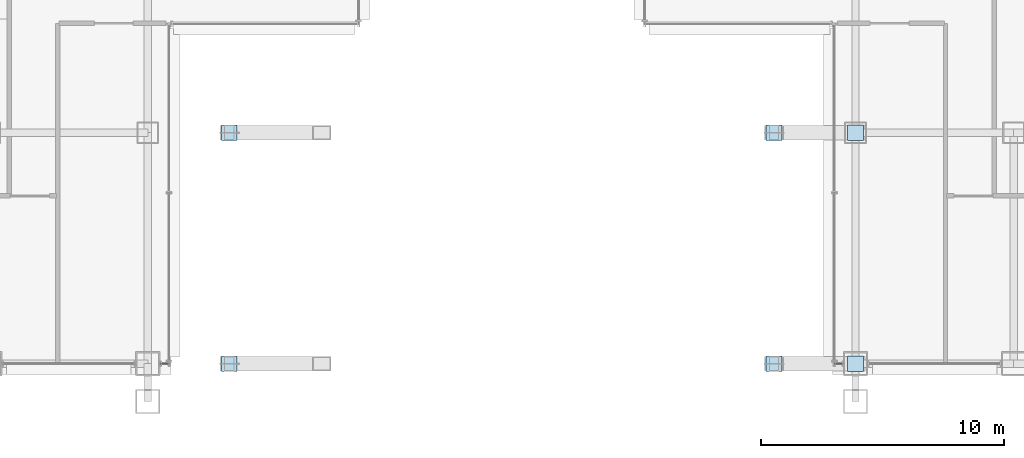
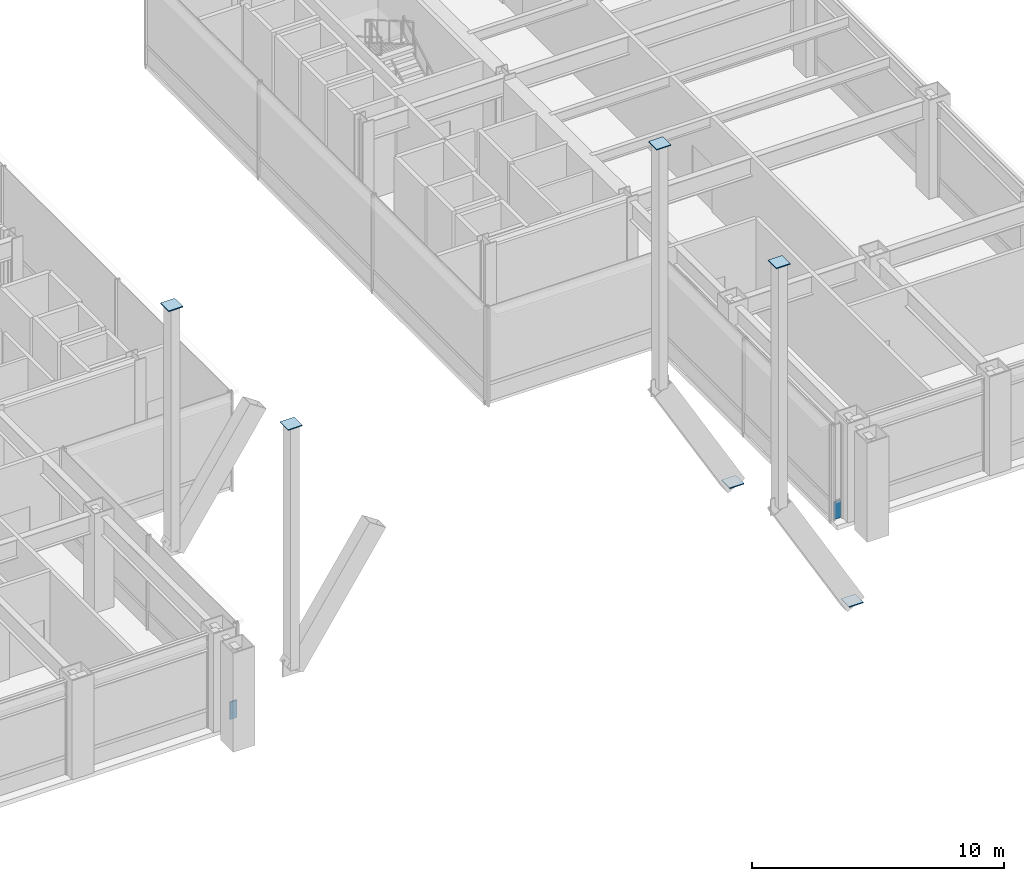
# One storey, part 33 of 40: 8 plates, 2 elements without a shape of their own.
"""IFC4 building model written with IfcOpenShell, lengths in metres."""

from ifc_helpers import new_model, si_unit, direction, frame, origin, origin_2d, place, context, subcontext, project, spatial, rectangle, extrude, material, layer, layer_set, type_object, element, aggregate, save


model = new_model("IFC4")

# Units and contexts
model_context = context("Model", 3, precision=1e-05, world=origin(), true_north=direction((0.0, 1.0)))
body_context = subcontext(model_context, "Body", "Model", "MODEL_VIEW")
ifc_project = project(units=[si_unit("LENGTHUNIT", "METRE"), si_unit("AREAUNIT", "SQUARE_METRE"), si_unit("VOLUMEUNIT", "CUBIC_METRE"), si_unit("PLANEANGLEUNIT", "RADIAN"), si_unit("MASSUNIT", "GRAM", prefix="KILO")], contexts=[model_context])

# Site, building, storey
site_placement = place(None, origin())
site = spatial("IfcSite", under=ifc_project, at=site_placement, CompositionType="ELEMENT")
building_placement = place(site_placement, origin())
building = spatial("IfcBuilding", under=site, at=building_placement, Name="Brelmoor Portico Tower", CompositionType="ELEMENT")
storey_placement = place(building_placement, frame((0.0, 0.0, 4.800048828125)))
storey = spatial("IfcBuildingStorey", under=building, at=storey_placement, Name="L01", CompositionType="ELEMENT", Elevation=4.800048828125)

# Plates
ifc_material_1 = material(Name="Steel Q355B", Category="steel")
ifc_layer_1 = layer(ifc_material_1, 0.044921875)
ifc_layer_set_1 = layer_set([ifc_layer_1], Name="Steel Q355B")
plate_type_1 = type_object("IfcPlateType", Name="PT-CAP-650", PredefinedType="SHEET", material=ifc_layer_set_1)
for number, where, z_axis, x_axis, name in (
    (1, (14.550048828125, -27.550048828125, -4.2724609375), (0.0, 0.0, 1.0), (1.0, 0.0, 0.0), "Giant Portico Arch Rib S1-8 Joint Cap Plate 2"),
    (2, (-11.199951171875, -27.550048828125, 13.33251953125), (0.0, 0.0, 1.0), (1.0, 0.0, 0.0), "Portico Arch Spandrel Strut S1-1 Joint Cap Plate 2"),
    (3, (11.199951171875, -27.550048828125, 13.33251953125), (0.0, 0.0, 1.0), (1.0, 0.0, 0.0), "Portico Arch Spandrel Strut S1-6 Joint Cap Plate 2"),
    (4, (14.550048828125, -18.050048828125, -4.2724609375), (0.0, 0.0, 1.0), (1.0, 0.0, 0.0), "Giant Portico Arch Rib S2-8 Joint Cap Plate 2"),
    (5, (-11.199951171875, -18.050048828125, 13.33251953125), (0.0, 0.0, 1.0), (1.0, 0.0, 0.0), "Portico Arch Spandrel Strut S2-1 Joint Cap Plate 2"),
    (6, (11.199951171875, -18.050048828125, 13.33251953125), (0.0, 0.0, 1.0), (1.0, 0.0, 0.0), "Portico Arch Spandrel Strut S2-6 Joint Cap Plate 2"),
):
    element("IfcPlate", number, at=place(storey_placement, frame(where, z_axis=z_axis, x_axis=x_axis)), inside=storey, type_object=plate_type_1, Name=name, PredefinedType="SHEET", context=body_context, shape_type="SweptSolid", body=[
        extrude(rectangle(XDim=0.64990234375, YDim=0.64990234375, at=origin_2d()), origin(), (0.0, 0.0, 1.0), 0.044921875),
    ])

# Curtain wall, plate
ifc_material_2 = material(Name="Anodised Aluminium Alloy 6063-T6", Category="aluminium")
ifc_layer_2 = layer(ifc_material_2, 0.179931640625)
ifc_layer_set_2 = layer_set([ifc_layer_2], Name="Anodised Aluminium Alloy 6063-T6")
curtain_wall_type = type_object("IfcCurtainWallType", Name="CW-PODIUM-ARCH", PredefinedType="NOTDEFINED", material=ifc_layer_set_2)
curtain_wall_1_placement = place(storey_placement, origin())
curtain_wall_1 = element("IfcCurtainWall", 7, at=curtain_wall_1_placement, inside=storey, type_object=curtain_wall_type, Name="L01 Curtain Wall CW-L01-01-3", PredefinedType="NOTDEFINED")
ifc_material_3 = material(Name="Pale Champagne Anodised Aluminium Panel", Category="aluminium")
ifc_layer_3 = layer(ifc_material_3, 0.050048828125)
ifc_layer_set_3 = layer_set([ifc_layer_3], Name="Pale Champagne Anodised Aluminium Panel")
plate_type_2 = type_object("IfcPlateType", Name="PT-CW-SPANDREL", PredefinedType="SHEET", material=ifc_layer_set_3)
plate_1_placement = place(storey_placement, frame((-13.860107421875, -27.550048828125, 0.0), z_axis=(0.0, 0.0, 1.0), x_axis=(1.0, 0.0, 0.0)))
plate_1 = element("IfcPlate", 8, at=plate_1_placement, type_object=plate_type_2, Name="CW-L01-01-3 Spandrel Panel 00", PredefinedType="SHEET", context=body_context, shape_type="SweptSolid", body=[
    extrude(rectangle(XDim=0.330078125, YDim=0.050048828125, at=origin_2d()), origin(), (0.0, 0.0, 1.0), 0.85009765625),
])
aggregate(curtain_wall_1, [plate_1])

curtain_wall_2_placement = place(storey_placement, origin())
curtain_wall_2 = element("IfcCurtainWall", 9, at=curtain_wall_2_placement, inside=storey, type_object=curtain_wall_type, Name="L01 Curtain Wall CW-L01-02-1", PredefinedType="NOTDEFINED")
plate_2_placement = place(storey_placement, frame((13.860107421875, -27.550048828125, 0.0), z_axis=(0.0, 0.0, 1.0), x_axis=(1.0, 0.0, 0.0)))
plate_2 = element("IfcPlate", 10, at=plate_2_placement, type_object=plate_type_2, Name="CW-L01-02-1 Spandrel Panel 00", PredefinedType="SHEET", context=body_context, shape_type="SweptSolid", body=[
    extrude(rectangle(XDim=0.330078125, YDim=0.050048828125, at=origin_2d()), origin(), (0.0, 0.0, 1.0), 0.85009765625),
])
aggregate(curtain_wall_2, [plate_2])

save(model, "model.ifc")
